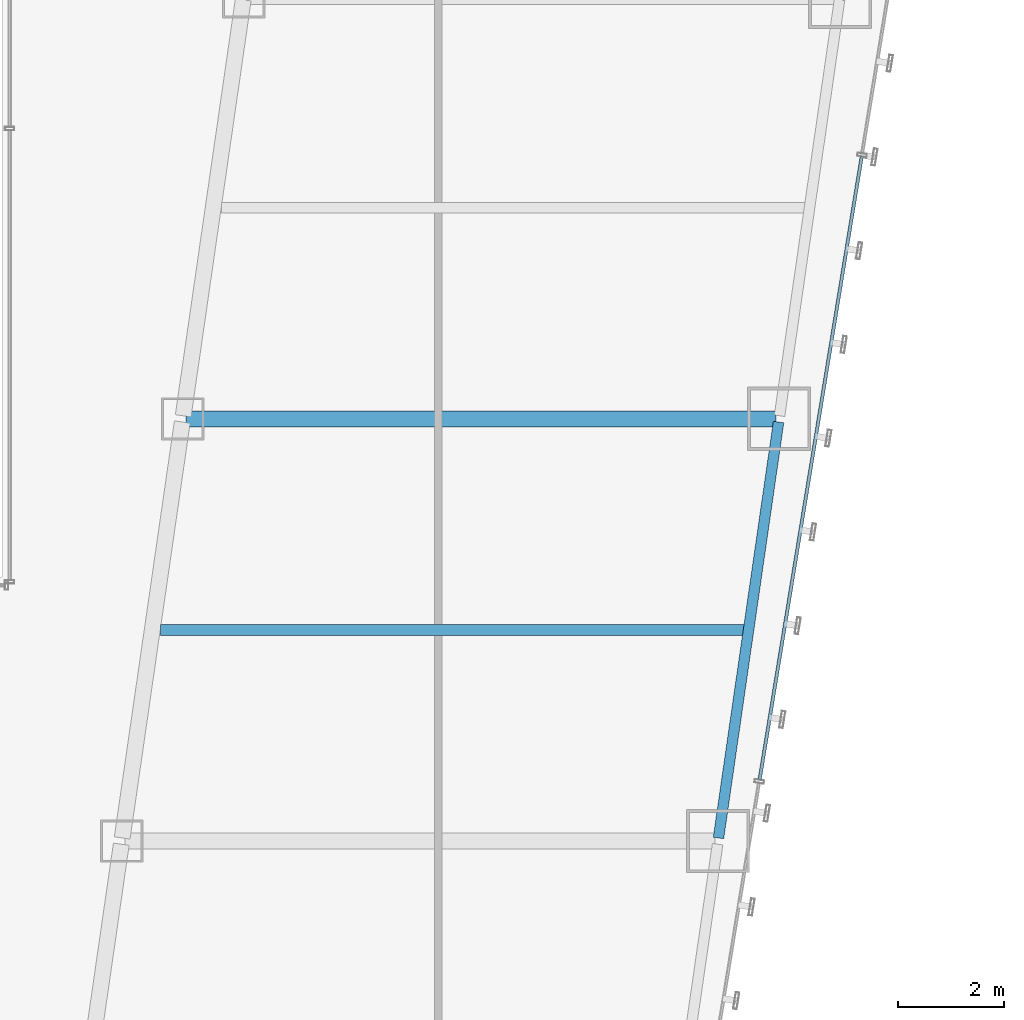
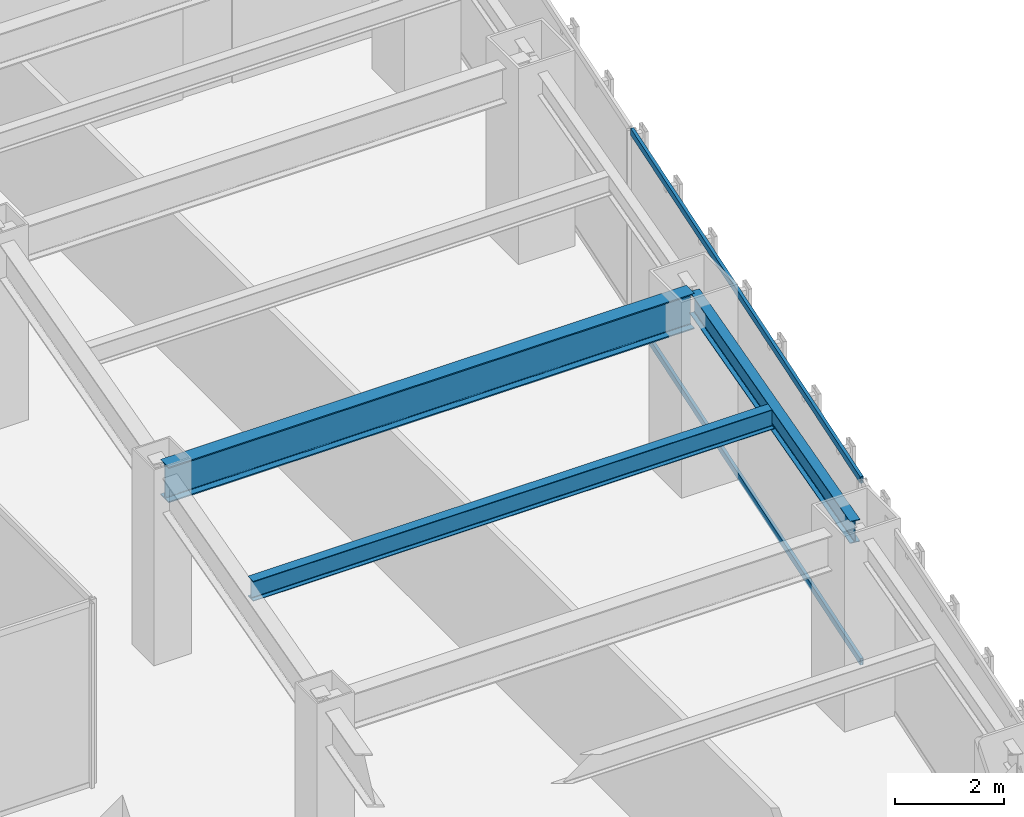
# One storey, part 19 of 47: 3 beams, 2 members, 1 element without a shape of its own.
"""IFC4 building model written with IfcOpenShell, lengths in metres."""

from ifc_helpers import new_model, si_unit, direction, frame, origin, origin_2d, place, context, subcontext, project, spatial, hollow_rectangle, i_section, extrude, material, material_profile, profile_set, type_object, element, aggregate, save


model = new_model("IFC4")

# Units and contexts
model_context = context("Model", 3, precision=1e-05, world=origin(), true_north=direction((0.0, 1.0)))
body_context = subcontext(model_context, "Body", "Model", "MODEL_VIEW")
ifc_project = project(units=[si_unit("LENGTHUNIT", "METRE"), si_unit("AREAUNIT", "SQUARE_METRE"), si_unit("VOLUMEUNIT", "CUBIC_METRE"), si_unit("PLANEANGLEUNIT", "RADIAN"), si_unit("MASSUNIT", "GRAM", prefix="KILO")], contexts=[model_context])

# Site, building, storey
site_placement = place(None, origin())
site = spatial("IfcSite", under=ifc_project, at=site_placement, CompositionType="ELEMENT")
building_placement = place(site_placement, origin())
building = spatial("IfcBuilding", under=site, at=building_placement, Name="Saevonmaru Cultural Tower", CompositionType="ELEMENT")
storey_placement = place(building_placement, frame((0.0, 0.0, 51.60009765625)))
storey = spatial("IfcBuildingStorey", under=building, at=storey_placement, Name="L10", CompositionType="ELEMENT", Elevation=51.60009765625)

# Beams
ifc_material_1 = material(Name="Steel SM420", Category="steel")
ifc_material_profile_1 = material_profile(ifc_material_1, i_section(OverallWidth=0.300048828125, OverallDepth=0.800048828125, WebThickness=0.013916015625, FlangeThickness=0.02587890625, FilletRadius=0.028076171875, at=origin_2d()), Name="H-800x300x14x26")
ifc_profile_set_1 = profile_set([ifc_material_profile_1], Name="Steel SM420")
beam_type_1 = type_object("IfcBeamType", Name="BM-G-H800", PredefinedType="BEAM", material=ifc_profile_set_1)
beam_1_placement = place(storey_placement, frame((39.2880859375, 24.0, 3.75), z_axis=(1.0, 0.0, 0.0), x_axis=(0.0, 1.0, 0.0)))
element("IfcBeam", 1, at=beam_1_placement, inside=storey, type_object=beam_type_1, Name="L10 East Wing Transverse Girder 4", PredefinedType="BEAM", context=body_context, shape_type="SweptSolid", body=[
    extrude(i_section(OverallWidth=0.300048828125, OverallDepth=0.800048828125, WebThickness=0.013916015625, FlangeThickness=0.02587890625, FilletRadius=0.028076171875, at=origin_2d()), origin(), (0.0, 0.0, 1.0), 11.179931640625),
])
ifc_material_2 = material(Name="Steel SM355", Category="steel")
ifc_material_profile_2 = material_profile(ifc_material_2, i_section(OverallWidth=0.199951171875, OverallDepth=0.449951171875, WebThickness=0.009033203125, FlangeThickness=0.013916015625, FilletRadius=0.01806640625, at=origin_2d()), Name="H-450x200x9x14")
ifc_profile_set_2 = profile_set([ifc_material_profile_2], Name="Steel SM355")
beam_type_2 = type_object("IfcBeamType", Name="BM-J-H450", PredefinedType="JOIST", material=ifc_profile_set_2)
beam_2_placement = place(storey_placement, frame((38.80810546875, 20.0, 3.9248046875), z_axis=(1.0, 0.0, 0.0), x_axis=(0.0, 1.0, 0.0)))
element("IfcBeam", 2, at=beam_2_placement, inside=storey, type_object=beam_type_2, Name="L10 East Wing Floor Joist 3", PredefinedType="JOIST", context=body_context, shape_type="SweptSolid", body=[
    extrude(i_section(OverallWidth=0.199951171875, OverallDepth=0.449951171875, WebThickness=0.009033203125, FlangeThickness=0.013916015625, FilletRadius=0.01806640625, at=origin_2d()), origin(), (0.0, 0.0, 1.0), 11.081787109375),
])
ifc_material_profile_3 = material_profile(ifc_material_2, i_section(OverallWidth=0.199951171875, OverallDepth=0.5, WebThickness=0.010009765625, FlangeThickness=0.01611328125, FilletRadius=0.02001953125, at=origin_2d()), Name="H-500x200x10x16")
ifc_profile_set_3 = profile_set([ifc_material_profile_3], Name="Steel SM355")
beam_type_3 = type_object("IfcBeamType", Name="BM-SP-H500", PredefinedType="SPANDREL", material=ifc_profile_set_3)
beam_3_placement = place(storey_placement, frame((49.380615234375, 16.059326171875, 3.89990234375), z_axis=(0.142992129437, 0.989723825579, 0.0), x_axis=(-0.989723825579, 0.142992129437, 0.0)))
element("IfcBeam", 3, at=beam_3_placement, inside=storey, type_object=beam_type_3, Name="L10 East Splayed Spandrel 3", PredefinedType="SPANDREL", context=body_context, shape_type="SweptSolid", body=[
    extrude(i_section(OverallWidth=0.199951171875, OverallDepth=0.5, WebThickness=0.010009765625, FlangeThickness=0.01611328125, FilletRadius=0.02001953125, at=origin_2d()), origin(), (0.0, 0.0, 1.0), 7.963134765625),
])

# Curtain wall, members
ifc_material_3 = material(Name="Satin Bronze Anodised Aluminium", Category="aluminium")
curtain_wall_type = type_object("IfcCurtainWallType", Name="CW-TYP-A", PredefinedType="NOTDEFINED", material=ifc_material_3)
curtain_wall_placement = place(storey_placement, origin())
curtain_wall = element("IfcCurtainWall", 4, at=curtain_wall_placement, inside=storey, type_object=curtain_wall_type, Name="L10 Unitised Curtain Wall E8", PredefinedType="NOTDEFINED")
ifc_material_profile_4 = material_profile(ifc_material_3, hollow_rectangle(XDim=0.06494140625, YDim=0.14990234375, WallThickness=0.00390625, at=origin_2d()), Name="ALU-TRAN-150x65x4")
ifc_profile_set_4 = profile_set([ifc_material_profile_4], Name="Satin Bronze Anodised Aluminium")
member_type = type_object("IfcMemberType", Name="TR-CW-150x65", PredefinedType="USERDEFINED", material=ifc_profile_set_4)
member_1_placement = place(storey_placement, frame((50.16015625, 17.16162109375, 0.032470703125), z_axis=(0.161701400727, 0.986839732177, 0.0), x_axis=(-0.986839732177, 0.161701400727, 0.0)))
member_1 = element("IfcMember", 5, at=member_1_placement, type_object=member_type, Name="CW-TW-L10-E8 transom 2.1", ObjectType="TRANSOM", PredefinedType="USERDEFINED", context=body_context, shape_type="SweptSolid", body=[
    extrude(hollow_rectangle(XDim=0.06494140625, YDim=0.14990234375, WallThickness=0.00390625, at=origin_2d()), origin(), (0.0, 0.0, 1.0), 11.9638671875),
])
member_2_placement = place(storey_placement, frame((50.16015625, 17.16162109375, 4.117431640625), z_axis=(0.161701400727, 0.986839732177, 0.0), x_axis=(-0.986839732177, 0.161701400727, 0.0)))
member_2 = element("IfcMember", 6, at=member_2_placement, type_object=member_type, Name="CW-TW-L10-E8 transom 2.2", ObjectType="TRANSOM", PredefinedType="USERDEFINED", context=body_context, shape_type="SweptSolid", body=[
    extrude(hollow_rectangle(XDim=0.06494140625, YDim=0.14990234375, WallThickness=0.00390625, at=origin_2d()), origin(), (0.0, 0.0, 1.0), 11.9638671875),
])
aggregate(curtain_wall, [member_1, member_2])

save(model, "model.ifc")
